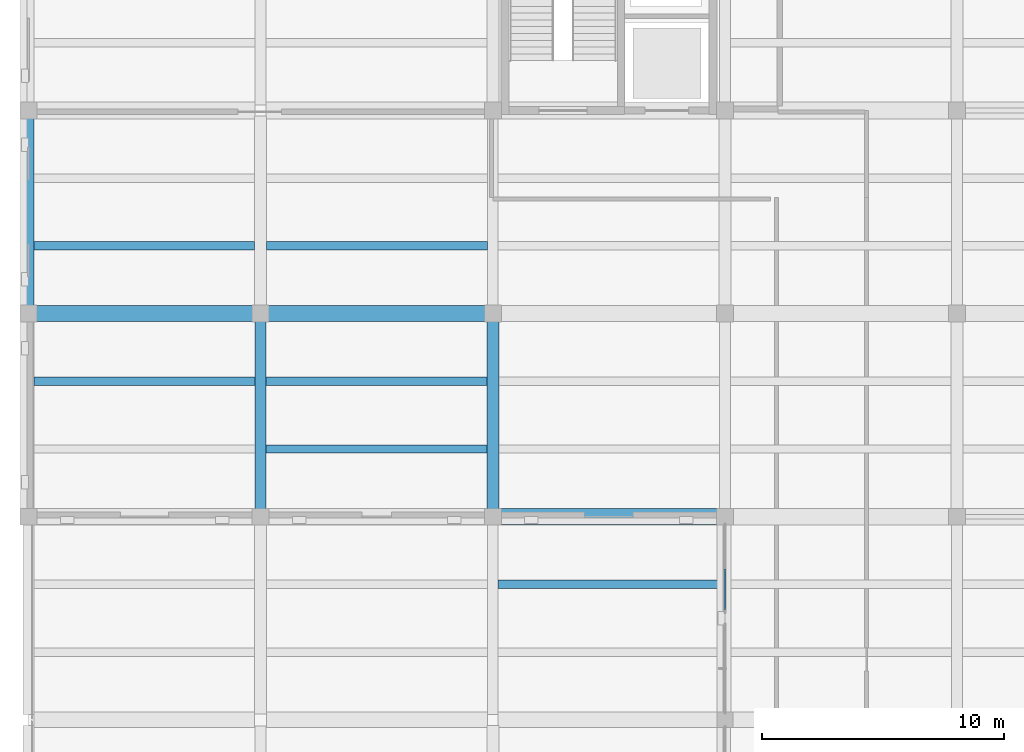
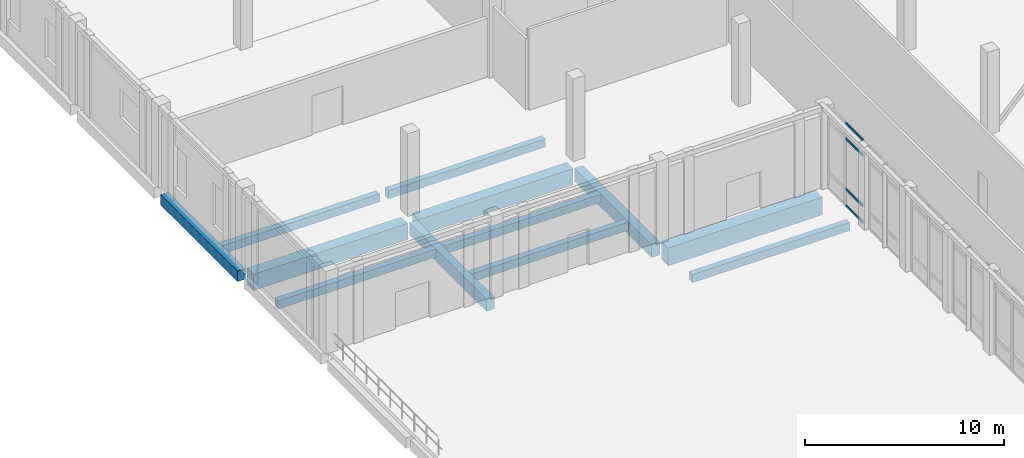
# One storey, part 30 of 71: 12 beams, 4 members, 1 element without a shape of its own.
"""IFC4 building model written with IfcOpenShell, lengths in metres."""

from ifc_helpers import new_model, si_unit, direction, frame, origin, origin_2d, place, context, subcontext, project, spatial, rectangle, hollow_rectangle, extrude, material, layer, layer_set, material_profile, profile_set, type_object, element, aggregate, save


model = new_model("IFC4")

# Units and contexts
model_context = context("Model", 3, precision=1e-05, world=origin(), true_north=direction((0.0, 1.0)))
body_context = subcontext(model_context, "Body", "Model", "MODEL_VIEW")
ifc_project = project(units=[si_unit("LENGTHUNIT", "METRE"), si_unit("AREAUNIT", "SQUARE_METRE"), si_unit("VOLUMEUNIT", "CUBIC_METRE"), si_unit("PLANEANGLEUNIT", "RADIAN"), si_unit("MASSUNIT", "GRAM", prefix="KILO")], contexts=[model_context])

# Site, building, storey
site_placement = place(None, origin())
site = spatial("IfcSite", under=ifc_project, at=site_placement, CompositionType="ELEMENT")
building_placement = place(site_placement, origin())
building = spatial("IfcBuilding", under=site, at=building_placement, Name="Lornevale Opera House", CompositionType="ELEMENT")
storey_placement = place(building_placement, origin())
storey = spatial("IfcBuildingStorey", under=building, at=storey_placement, Name="L01", CompositionType="ELEMENT", Elevation=0.0)

# Beams
ifc_material_1 = material(Name="Concrete 35 MPa (CSA A23.1 N)", Category="concrete")
ifc_material_profile_1 = material_profile(ifc_material_1, rectangle(XDim=0.449951171875, YDim=0.75, at=origin_2d()), Name="RC450x750")
ifc_profile_set_1 = profile_set([ifc_material_profile_1], Name="Concrete 35 MPa (CSA A23.1 N)")
beam_type_1 = type_object("IfcBeamType", Name="Concrete Floor Beam 450x750", PredefinedType="USERDEFINED", material=ifc_profile_set_1)
beam_1_placement = place(storey_placement, frame((9.60009765625, 67.52490234375, -0.81494140625), z_axis=(0.0, 1.0, 0.0), x_axis=(-1.0, 0.0, 0.0)))
element("IfcBeam", 1, at=beam_1_placement, inside=storey, type_object=beam_type_1, Name="Concrete Floor Beam 450x750 1089", ObjectType="GIRDER", PredefinedType="USERDEFINED", context=body_context, shape_type="SweptSolid", body=[
    extrude(rectangle(XDim=0.449951171875, YDim=0.75, at=origin_2d()), origin(), (0.0, 0.0, 1.0), 7.75),
])
ifc_material_profile_2 = material_profile(ifc_material_1, rectangle(XDim=0.5, YDim=0.800048828125, at=origin_2d()), Name="RC500x800")
ifc_profile_set_2 = profile_set([ifc_material_profile_2], Name="Concrete 35 MPa (CSA A23.1 N)")
beam_type_2 = type_object("IfcBeamType", Name="Concrete Floor Beam 500x800", PredefinedType="USERDEFINED", material=ifc_profile_set_2)
beam_2_placement = place(storey_placement, frame((19.199951171875, 67.52490234375, -0.840087890625), z_axis=(0.0, 1.0, 0.0), x_axis=(-1.0, 0.0, 0.0)))
element("IfcBeam", 2, at=beam_2_placement, inside=storey, type_object=beam_type_2, Name="Concrete Floor Beam 500x800 1101", ObjectType="GIRDER", PredefinedType="USERDEFINED", context=body_context, shape_type="SweptSolid", body=[
    extrude(rectangle(XDim=0.5, YDim=0.800048828125, at=origin_2d()), origin(), (0.0, 0.0, 1.0), 7.75),
])
ifc_material_2 = material(Name="Concrete 40 MPa (CSA A23.1 C-1)", Category="concrete")
ifc_material_profile_3 = material_profile(ifc_material_2, rectangle(XDim=0.64990234375, YDim=1.0, at=origin_2d()), Name="RC650x1000")
ifc_profile_set_3 = profile_set([ifc_material_profile_3], Name="Concrete 40 MPa (CSA A23.1 C-1)")
beam_type_3 = type_object("IfcBeamType", Name="Concrete Primary Girder 650x1000", PredefinedType="USERDEFINED", material=ifc_profile_set_3)
for number, where, z_axis, x_axis, name in (
    (3, (0.324951171875, 75.60009765625, -0.93994140625), (1.0, 0.0, 0.0), (0.0, 1.0, 0.0), "Concrete Primary Girder 650x1000 0991"),
    (4, (9.925048828125, 75.60009765625, -0.93994140625), (1.0, 0.0, 0.0), (0.0, 1.0, 0.0), "Concrete Primary Girder 650x1000 0992"),
):
    element("IfcBeam", number, at=place(storey_placement, frame(where, z_axis=z_axis, x_axis=x_axis)), inside=storey, type_object=beam_type_3, Name=name, ObjectType="GIRDER", PredefinedType="USERDEFINED", context=body_context, shape_type="SweptSolid", body=[
        extrude(rectangle(XDim=0.64990234375, YDim=1.0, at=origin_2d()), origin(), (0.0, 0.0, 1.0), 8.949951171875),
    ])
ifc_material_profile_4 = material_profile(ifc_material_2, rectangle(XDim=0.699951171875, YDim=1.10009765625, at=origin_2d()), Name="RC700x1100")
ifc_profile_set_4 = profile_set([ifc_material_profile_4], Name="Concrete 40 MPa (CSA A23.1 C-1)")
beam_type_4 = type_object("IfcBeamType", Name="Concrete Primary Girder 700x1100", PredefinedType="USERDEFINED", material=ifc_profile_set_4)
beam_3_placement = place(storey_placement, frame((19.52490234375, 67.199951171875, -0.989990234375), z_axis=(1.0, 0.0, 0.0), x_axis=(0.0, 1.0, 0.0)))
element("IfcBeam", 5, at=beam_3_placement, inside=storey, type_object=beam_type_4, Name="Concrete Primary Girder 700x1100 0976", ObjectType="GIRDER", PredefinedType="USERDEFINED", context=body_context, shape_type="SweptSolid", body=[
    extrude(rectangle(XDim=0.699951171875, YDim=1.10009765625, at=origin_2d()), origin(), (0.0, 0.0, 1.0), 8.9501953125),
])
ifc_material_profile_5 = material_profile(ifc_material_1, rectangle(XDim=0.35009765625, YDim=0.5, at=origin_2d()), Name="RC350x500")
ifc_profile_set_5 = profile_set([ifc_material_profile_5], Name="Concrete 35 MPa (CSA A23.1 N)")
beam_type_5 = type_object("IfcBeamType", Name="Concrete Secondary Rib 350x500", PredefinedType="JOIST", material=ifc_profile_set_5)
beam_4_placement = place(storey_placement, frame((0.22509765625, 72.800048828125, -0.68994140625), z_axis=(1.0, 0.0, 0.0), x_axis=(0.0, 1.0, 0.0)))
element("IfcBeam", 6, at=beam_4_placement, inside=storey, type_object=beam_type_5, Name="Concrete Secondary Rib 350x500 1308", PredefinedType="JOIST", context=body_context, shape_type="SweptSolid", body=[
    extrude(rectangle(XDim=0.35009765625, YDim=0.5, at=origin_2d()), origin(), (0.0, 0.0, 1.0), 9.14990234375),
])
for number, where, z_axis, x_axis, name in (
    (7, (0.22509765625, 78.39990234375, -0.68994140625), (1.0, 0.0, 0.0), (0.0, 1.0, 0.0), "Concrete Secondary Rib 350x500 1309"),
    (8, (9.824951171875, 70.0, -0.68994140625), (1.0, 0.0, 0.0), (0.0, 1.0, 0.0), "Concrete Secondary Rib 350x500 1331"),
    (9, (9.824951171875, 72.800048828125, -0.68994140625), (1.0, 0.0, 0.0), (0.0, 1.0, 0.0), "Concrete Secondary Rib 350x500 1332"),
    (10, (9.85009765625, 78.39990234375, -0.68994140625), (1.0, 0.0, 0.0), (0.0, 1.0, 0.0), "Concrete Secondary Rib 350x500 1333"),
    (11, (19.425048828125, 64.39990234375, -0.68994140625), (1.0, 0.0, 0.0), (0.0, 1.0, 0.0), "Concrete Secondary Rib 350x500 1352"),
):
    element("IfcBeam", number, at=place(storey_placement, frame(where, z_axis=z_axis, x_axis=x_axis)), inside=storey, type_object=beam_type_5, Name=name, PredefinedType="JOIST", context=body_context, shape_type="SweptSolid", body=[
        extrude(rectangle(XDim=0.35009765625, YDim=0.5, at=origin_2d()), origin(), (0.0, 0.0, 1.0), 9.125),
    ])
ifc_material_profile_6 = material_profile(ifc_material_1, rectangle(XDim=0.449951171875, YDim=0.64990234375, at=origin_2d()), Name="RC450x650")
ifc_profile_set_6 = profile_set([ifc_material_profile_6], Name="Concrete 35 MPa (CSA A23.1 N)")
beam_type_6 = type_object("IfcBeamType", Name="Concrete Spandrel Beam 450x650", PredefinedType="SPANDREL", material=ifc_profile_set_6)
beam_5_placement = place(storey_placement, frame((0.0, 75.925048828125, -0.764892578125), z_axis=(0.0, 1.0, 0.0), x_axis=(-1.0, 0.0, 0.0)))
element("IfcBeam", 12, at=beam_5_placement, inside=storey, type_object=beam_type_6, Name="Concrete Spandrel Beam 450x650 1078", PredefinedType="SPANDREL", context=body_context, shape_type="SweptSolid", body=[
    extrude(rectangle(XDim=0.449951171875, YDim=0.64990234375, at=origin_2d()), origin(), (0.0, 0.0, 1.0), 7.75),
])

# Curtain wall, members
ifc_material_3 = material(Name="Anodized Oxide-Green Aluminium Framing", Category="aluminium")
ifc_layer = layer(ifc_material_3, 0.215087890625)
ifc_layer_set = layer_set([ifc_layer], Name="Anodized Oxide-Green Aluminium Framing")
curtain_wall_type = type_object("IfcCurtainWallType", Name="Grand Foyer Curtain Wall M2000", PredefinedType="NOTDEFINED", material=ifc_layer_set)
curtain_wall_placement = place(storey_placement, origin())
curtain_wall = element("IfcCurtainWall", 13, at=curtain_wall_placement, inside=storey, type_object=curtain_wall_type, Name="Grand Foyer Curtain Wall M2000 CW-010", PredefinedType="NOTDEFINED")
ifc_material_profile_7 = material_profile(ifc_material_3, hollow_rectangle(XDim=0.074951171875, YDim=0.159912109375, WallThickness=0.0048828125, at=origin_2d()), Name="ALU75x160x5")
ifc_profile_set_7 = profile_set([ifc_material_profile_7], Name="Anodized Oxide-Green Aluminium Framing")
member_type = type_object("IfcMemberType", Name="Curtain Wall Transom 75x160", PredefinedType="USERDEFINED", material=ifc_profile_set_7)
member_1_placement = place(storey_placement, frame((28.800048828125, 63.35498046875, 0.03759765625), z_axis=(0.0, 1.0, 0.0), x_axis=(-1.0, 0.0, 0.0)))
member_1 = element("IfcMember", 14, at=member_1_placement, type_object=member_type, Name="Curtain Wall Transom 75x160 CW0157", ObjectType="TRANSOM", PredefinedType="USERDEFINED", context=body_context, shape_type="SweptSolid", body=[
    extrude(hollow_rectangle(XDim=0.074951171875, YDim=0.159912109375, WallThickness=0.0048828125, at=origin_2d()), origin(), (0.0, 0.0, 1.0), 1.674560546875),
])
member_2_placement = place(storey_placement, frame((28.800048828125, 63.35498046875, 1.050048828125), z_axis=(0.0, 1.0, 0.0), x_axis=(-1.0, 0.0, 0.0)))
member_2 = element("IfcMember", 15, at=member_2_placement, type_object=member_type, Name="Curtain Wall Transom 75x160 CW0158", ObjectType="TRANSOM", PredefinedType="USERDEFINED", context=body_context, shape_type="SweptSolid", body=[
    extrude(hollow_rectangle(XDim=0.074951171875, YDim=0.159912109375, WallThickness=0.0048828125, at=origin_2d()), origin(), (0.0, 0.0, 1.0), 1.674560546875),
])
member_3_placement = place(storey_placement, frame((28.800048828125, 63.35498046875, 4.14990234375), z_axis=(0.0, 1.0, 0.0), x_axis=(-1.0, 0.0, 0.0)))
member_3 = element("IfcMember", 16, at=member_3_placement, type_object=member_type, Name="Curtain Wall Transom 75x160 CW0159", ObjectType="TRANSOM", PredefinedType="USERDEFINED", context=body_context, shape_type="SweptSolid", body=[
    extrude(hollow_rectangle(XDim=0.074951171875, YDim=0.159912109375, WallThickness=0.0048828125, at=origin_2d()), origin(), (0.0, 0.0, 1.0), 1.674560546875),
])
member_4_placement = place(storey_placement, frame((28.800048828125, 63.35498046875, 5.0625), z_axis=(0.0, 1.0, 0.0), x_axis=(-1.0, 0.0, 0.0)))
member_4 = element("IfcMember", 17, at=member_4_placement, type_object=member_type, Name="Curtain Wall Transom 75x160 CW0160", ObjectType="TRANSOM", PredefinedType="USERDEFINED", context=body_context, shape_type="SweptSolid", body=[
    extrude(hollow_rectangle(XDim=0.074951171875, YDim=0.159912109375, WallThickness=0.0048828125, at=origin_2d()), origin(), (0.0, 0.0, 1.0), 1.674560546875),
])
aggregate(curtain_wall, [member_1, member_2, member_3, member_4])

save(model, "model.ifc")
